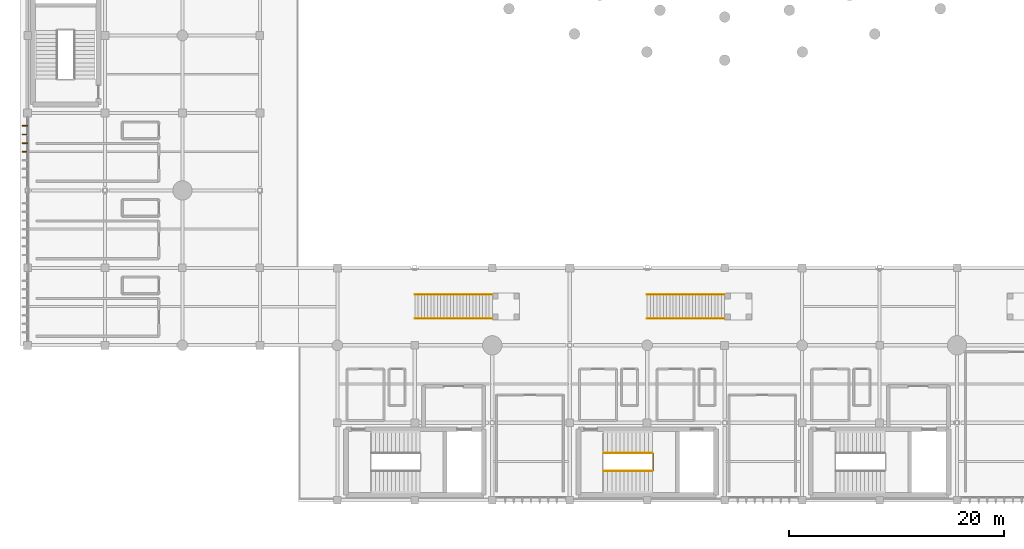
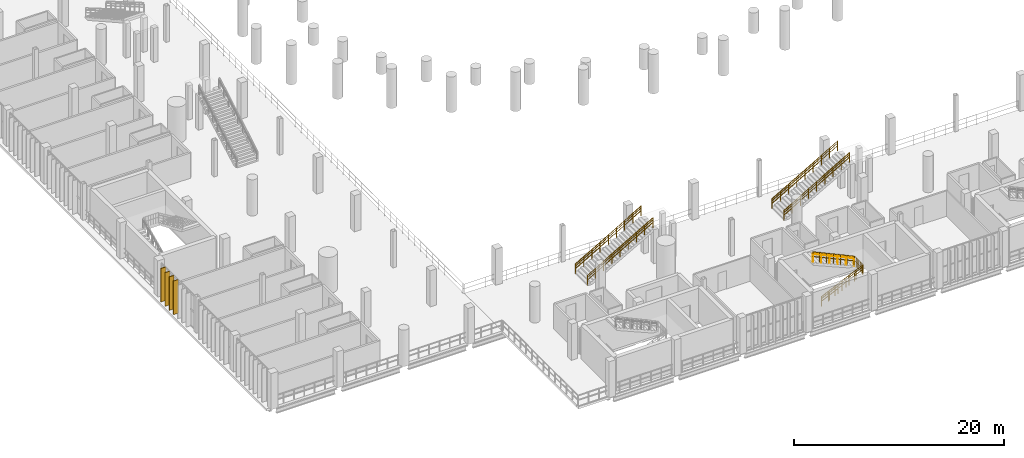
# One storey, part 116 of 130: 13 railings, 4 coverings.
"""IFC4 building model written with IfcOpenShell, lengths in metres."""

from ifc_helpers import new_model, si_unit, direction, frame, origin, origin_2d, place, context, subcontext, project, spatial, rectangle, circle, extrude, material, layer, layer_set, type_object, element, save


model = new_model("IFC4")

# Units and contexts
model_context = context("Model", 3, precision=1e-05, world=origin(), true_north=direction((0.0, 1.0)))
body_context = subcontext(model_context, "Body", "Model", "MODEL_VIEW")
ifc_project = project(units=[si_unit("LENGTHUNIT", "METRE"), si_unit("AREAUNIT", "SQUARE_METRE"), si_unit("VOLUMEUNIT", "CUBIC_METRE"), si_unit("PLANEANGLEUNIT", "RADIAN"), si_unit("MASSUNIT", "GRAM", prefix="KILO")], contexts=[model_context])

# Site, building, storey
site_placement = place(None, origin())
site = spatial("IfcSite", under=ifc_project, at=site_placement, CompositionType="ELEMENT")
building_placement = place(site_placement, origin())
building = spatial("IfcBuilding", under=site, at=building_placement, Name="Qandorah Velis Arena", CompositionType="ELEMENT")
storey_placement = place(building_placement, frame((0.0, 0.0, 9.60009765625)))
storey = spatial("IfcBuildingStorey", under=building, at=storey_placement, Name="L02", CompositionType="ELEMENT", Elevation=9.60009765625)

# Coverings
ifc_material_1 = material(Name="Champagne-bronze anodized aluminium 6063-T6", Category="aluminium")
ifc_layer = layer(ifc_material_1, 0.0849609375)
ifc_layer_set = layer_set([ifc_layer], Name="Champagne-bronze anodized aluminium 6063-T6")
covering_type = type_object("IfcCoveringType", Name="ARC-COV-FIN520", PredefinedType="CLADDING", material=ifc_layer_set)
for number, where, z_axis, x_axis, name in (
    (1, (-0.251953125, 32.39990234375, -0.010009765625), (0.0, 0.0, 1.0), (1.0, 0.0, 0.0), "Vertical champagne-bronze solar fin blade WNG-W-L02-04-004"),
    (2, (-0.251953125, 33.199951171875, -0.010009765625), (0.0, 0.0, 1.0), (1.0, 0.0, 0.0), "Vertical champagne-bronze solar fin blade WNG-W-L02-04-005"),
    (3, (-0.251953125, 34.0, -0.010009765625), (0.0, 0.0, 1.0), (1.0, 0.0, 0.0), "Vertical champagne-bronze solar fin blade WNG-W-L02-04-006"),
    (4, (-0.251953125, 34.800048828125, -0.010009765625), (0.0, 0.0, 1.0), (1.0, 0.0, 0.0), "Vertical champagne-bronze solar fin blade WNG-W-L02-04-007"),
):
    element("IfcCovering", number, at=place(storey_placement, frame(where, z_axis=z_axis, x_axis=x_axis)), inside=storey, type_object=covering_type, Name=name, PredefinedType="CLADDING", context=body_context, shape_type="SweptSolid", body=[
        extrude(rectangle(XDim=0.52001953125, YDim=0.0849609375, at=origin_2d()), origin(), (0.0, 0.0, 1.0), 3.89990234375),
    ])

# Railings
ifc_material_2 = material(Name="Stainless steel 316", Category="steel")
railing_type_1 = type_object("IfcRailingType", Name="ARC-RL-GRD1150", PredefinedType="GUARDRAIL", material=ifc_material_2)
railing_1_placement = place(storey_placement, frame((58.14599609375, 2.739990234375, 2.099853515625)))
element("IfcRailing", 5, at=railing_1_placement, inside=storey, type_object=railing_type_1, Name="Stair ST9 well guardrail (L02)", PredefinedType="GUARDRAIL", context=body_context, shape_type="SweptSolid", body=[
    extrude(circle(Radius=0.02392578125, at=origin_2d()), frame((0.0, 0.0, 1.1259765625), z_axis=(0.0, 1.0, 0.0), x_axis=(-1.0, 0.0, 0.0)), (0.0, 0.0, 1.0), 1.6201171875),
    extrude(circle(Radius=0.02392578125, at=origin_2d()), frame((0.0, 0.0, 0.597900390625), z_axis=(0.0, 1.0, 0.0), x_axis=(-1.0, 0.0, 0.0)), (0.0, 0.0, 1.0), 1.6201171875),
    extrude(circle(Radius=0.02099609375, at=origin_2d()), origin(), (0.0, 0.0, 1.0), 1.101806640625),
    extrude(circle(Radius=0.02099609375, at=origin_2d()), frame((0.0, 0.27001953125, 0.0)), (0.0, 0.0, 1.0), 1.101806640625),
    extrude(circle(Radius=0.02099609375, at=origin_2d()), frame((0.0, 0.5400390625, 0.0)), (0.0, 0.0, 1.0), 1.101806640625),
    extrude(circle(Radius=0.02099609375, at=origin_2d()), frame((0.0, 0.81005859375, 0.0)), (0.0, 0.0, 1.0), 1.101806640625),
    extrude(circle(Radius=0.02099609375, at=origin_2d()), frame((0.0, 1.080078125, 0.0)), (0.0, 0.0, 1.0), 1.101806640625),
    extrude(circle(Radius=0.02099609375, at=origin_2d()), frame((0.0, 1.35009765625, 0.0)), (0.0, 0.0, 1.0), 1.101806640625),
    extrude(circle(Radius=0.02099609375, at=origin_2d()), frame((0.0, 1.6201171875, 0.0)), (0.0, 0.0, 1.0), 1.101806640625),
])
railing_2_placement = place(storey_placement, frame((53.550048828125, 2.72998046875, 0.0)))
element("IfcRailing", 6, at=railing_2_placement, inside=storey, type_object=railing_type_1, Name="Stair ST9 inner flight 1 guardrail (L02)", PredefinedType="GUARDRAIL", context=body_context, shape_type="SweptSolid", body=[
    extrude(circle(Radius=0.02392578125, at=origin_2d()), frame((0.0, 0.0, 1.1259765625), z_axis=(0.907474148765, 0.0, 0.420107925805), x_axis=(0.0, 1.0, 0.0)), (0.0, 0.0, 1.0), 4.998291015625),
    extrude(circle(Radius=0.02392578125, at=origin_2d()), frame((0.0, 0.0, 0.597900390625), z_axis=(0.907474148765, 0.0, 0.420107925805), x_axis=(0.0, 1.0, 0.0)), (0.0, 0.0, 1.0), 4.998291015625),
    extrude(circle(Radius=0.02099609375, at=origin_2d()), origin(), (0.0, 0.0, 1.0), 1.101806640625),
    extrude(circle(Radius=0.02099609375, at=origin_2d()), frame((0.755859375, 0.0, 0.35009765625)), (0.0, 0.0, 1.0), 1.101806640625),
    extrude(circle(Radius=0.02099609375, at=origin_2d()), frame((1.511962890625, 0.0, 0.699951171875)), (0.0, 0.0, 1.0), 1.101806640625),
    extrude(circle(Radius=0.02099609375, at=origin_2d()), frame((2.26806640625, 0.0, 1.0498046875)), (0.0, 0.0, 1.0), 1.101806640625),
    extrude(circle(Radius=0.02099609375, at=origin_2d()), frame((3.02392578125, 0.0, 1.39990234375)), (0.0, 0.0, 1.0), 1.101806640625),
    extrude(circle(Radius=0.02099609375, at=origin_2d()), frame((3.77978515625, 0.0, 1.75)), (0.0, 0.0, 1.0), 1.101806640625),
    extrude(circle(Radius=0.02099609375, at=origin_2d()), frame((4.535888671875, 0.0, 2.099853515625)), (0.0, 0.0, 1.0), 1.101806640625),
])
railing_3_placement = place(storey_placement, frame((58.0859375, 4.3701171875, 2.099853515625)))
element("IfcRailing", 7, at=railing_3_placement, inside=storey, type_object=railing_type_1, Name="Stair ST9 inner flight 2 guardrail (L02)", PredefinedType="GUARDRAIL", context=body_context, shape_type="SweptSolid", body=[
    extrude(circle(Radius=0.02392578125, at=origin_2d()), frame((0.0, 0.0, 1.1259765625), z_axis=(-0.907455527081, 0.0, 0.420148148122), x_axis=(0.0, -1.0, 0.0)), (0.0, 0.0, 1.0), 4.99853515625),
    extrude(circle(Radius=0.02392578125, at=origin_2d()), frame((0.0, 0.0, 0.597900390625), z_axis=(-0.907455527081, 0.0, 0.420148148122), x_axis=(0.0, -1.0, 0.0)), (0.0, 0.0, 1.0), 4.99853515625),
    extrude(circle(Radius=0.02099609375, at=origin_2d()), origin(), (0.0, 0.0, 1.0), 1.101806640625),
    extrude(circle(Radius=0.02099609375, at=origin_2d()), frame((-0.755859375, 0.0, 0.35009765625)), (0.0, 0.0, 1.0), 1.101806640625),
    extrude(circle(Radius=0.02099609375, at=origin_2d()), frame((-1.511962890625, 0.0, 0.699951171875)), (0.0, 0.0, 1.0), 1.101806640625),
    extrude(circle(Radius=0.02099609375, at=origin_2d()), frame((-2.26806640625, 0.0, 1.050048828125)), (0.0, 0.0, 1.0), 1.101806640625),
    extrude(circle(Radius=0.02099609375, at=origin_2d()), frame((-3.02392578125, 0.0, 1.400146484375)), (0.0, 0.0, 1.0), 1.101806640625),
    extrude(circle(Radius=0.02099609375, at=origin_2d()), frame((-3.77978515625, 0.0, 1.75)), (0.0, 0.0, 1.0), 1.101806640625),
    extrude(circle(Radius=0.02099609375, at=origin_2d()), frame((-4.535888671875, 0.0, 2.10009765625)), (0.0, 0.0, 1.0), 1.101806640625),
])
for number, where, name in (
    (8, (36.0, 19.1201171875, 0.0), "Vomitory VS9 left guard (L02)"),
    (9, (36.0, 16.8798828125, 0.0), "Vomitory VS9 right guard (L02)"),
    (10, (57.60009765625, 19.1201171875, 0.0), "Vomitory VS10 left guard (L02)"),
    (11, (57.60009765625, 16.8798828125, 0.0), "Vomitory VS10 right guard (L02)"),
):
    element("IfcRailing", number, at=place(storey_placement, frame(where)), inside=storey, type_object=railing_type_1, Name=name, PredefinedType="GUARDRAIL", context=body_context, shape_type="SweptSolid", body=[
        extrude(circle(Radius=0.02392578125, at=origin_2d()), frame((0.0, 0.0, 1.1259765625), z_axis=(0.863779963214, 0.0, 0.503869204407), x_axis=(0.0, 1.0, 0.0)), (0.0, 0.0, 1.0), 8.33544921875),
        extrude(circle(Radius=0.02392578125, at=origin_2d()), frame((0.0, 0.0, 0.597900390625), z_axis=(0.863779963214, 0.0, 0.503869204407), x_axis=(0.0, 1.0, 0.0)), (0.0, 0.0, 1.0), 8.33544921875),
        extrude(circle(Radius=0.02099609375, at=origin_2d()), origin(), (0.0, 0.0, 1.0), 1.101806640625),
        extrude(circle(Radius=0.02099609375, at=origin_2d()), frame((0.89990234375, 0.0, 0.52490234375)), (0.0, 0.0, 1.0), 1.101806640625),
        extrude(circle(Radius=0.02099609375, at=origin_2d()), frame((1.800048828125, 0.0, 1.050048828125)), (0.0, 0.0, 1.0), 1.101806640625),
        extrude(circle(Radius=0.02099609375, at=origin_2d()), frame((2.699951171875, 0.0, 1.574951171875)), (0.0, 0.0, 1.0), 1.101806640625),
        extrude(circle(Radius=0.02099609375, at=origin_2d()), frame((3.60009765625, 0.0, 2.10009765625)), (0.0, 0.0, 1.0), 1.101806640625),
        extrude(circle(Radius=0.02099609375, at=origin_2d()), frame((4.5, 0.0, 2.625)), (0.0, 0.0, 1.0), 1.101806640625),
        extrude(circle(Radius=0.02099609375, at=origin_2d()), frame((5.39990234375, 0.0, 3.14990234375)), (0.0, 0.0, 1.0), 1.101806640625),
        extrude(circle(Radius=0.02099609375, at=origin_2d()), frame((6.300048828125, 0.0, 3.675048828125)), (0.0, 0.0, 1.0), 1.101806640625),
        extrude(circle(Radius=0.02099609375, at=origin_2d()), frame((7.199951171875, 0.0, 4.199951171875)), (0.0, 0.0, 1.0), 1.101806640625),
    ])
railing_type_2 = type_object("IfcRailingType", Name="ARC-RL-HND920", PredefinedType="HANDRAIL", material=ifc_material_2)
railing_4_placement = place(storey_placement, frame((53.550048828125, 2.72998046875, 0.0)))
element("IfcRailing", 12, at=railing_4_placement, inside=storey, type_object=railing_type_2, Name="Stair ST9 inner handrail 1 (L02)", PredefinedType="HANDRAIL", context=body_context, shape_type="SweptSolid", body=[
    extrude(circle(Radius=0.02392578125, at=origin_2d()), frame((0.0, 0.0, 0.89599609375), z_axis=(0.907474148765, 0.0, 0.420107925805), x_axis=(0.0, 1.0, 0.0)), (0.0, 0.0, 1.0), 4.998291015625),
    extrude(circle(Radius=0.02099609375, at=origin_2d()), origin(), (0.0, 0.0, 1.0), 0.871826171875),
    extrude(circle(Radius=0.02099609375, at=origin_2d()), frame((0.9072265625, 0.0, 0.419921875)), (0.0, 0.0, 1.0), 0.871826171875),
    extrude(circle(Radius=0.02099609375, at=origin_2d()), frame((1.814453125, 0.0, 0.83984375)), (0.0, 0.0, 1.0), 0.871826171875),
    extrude(circle(Radius=0.02099609375, at=origin_2d()), frame((2.721435546875, 0.0, 1.260009765625)), (0.0, 0.0, 1.0), 0.871826171875),
    extrude(circle(Radius=0.02099609375, at=origin_2d()), frame((3.628662109375, 0.0, 1.679931640625)), (0.0, 0.0, 1.0), 0.871826171875),
    extrude(circle(Radius=0.02099609375, at=origin_2d()), frame((4.535888671875, 0.0, 2.099853515625)), (0.0, 0.0, 1.0), 0.871826171875),
])
railing_5_placement = place(storey_placement, frame((58.0859375, 4.3701171875, 2.099853515625)))
element("IfcRailing", 13, at=railing_5_placement, inside=storey, type_object=railing_type_2, Name="Stair ST9 inner handrail 2 (L02)", PredefinedType="HANDRAIL", context=body_context, shape_type="SweptSolid", body=[
    extrude(circle(Radius=0.02392578125, at=origin_2d()), frame((0.0, 0.0, 0.89599609375), z_axis=(-0.907455527081, 0.0, 0.420148148122), x_axis=(0.0, -1.0, 0.0)), (0.0, 0.0, 1.0), 4.99853515625),
    extrude(circle(Radius=0.02099609375, at=origin_2d()), origin(), (0.0, 0.0, 1.0), 0.871826171875),
    extrude(circle(Radius=0.02099609375, at=origin_2d()), frame((-0.9072265625, 0.0, 0.419921875)), (0.0, 0.0, 1.0), 0.871826171875),
    extrude(circle(Radius=0.02099609375, at=origin_2d()), frame((-1.814453125, 0.0, 0.840087890625)), (0.0, 0.0, 1.0), 0.871826171875),
    extrude(circle(Radius=0.02099609375, at=origin_2d()), frame((-2.721435546875, 0.0, 1.260009765625)), (0.0, 0.0, 1.0), 0.871826171875),
    extrude(circle(Radius=0.02099609375, at=origin_2d()), frame((-3.628662109375, 0.0, 1.68017578125)), (0.0, 0.0, 1.0), 0.871826171875),
    extrude(circle(Radius=0.02099609375, at=origin_2d()), frame((-4.535888671875, 0.0, 2.10009765625)), (0.0, 0.0, 1.0), 0.871826171875),
])
for number, where, name in (
    (14, (36.0, 19.1201171875, 0.0), "Vomitory VS9 left handrail"),
    (15, (36.0, 16.8798828125, 0.0), "Vomitory VS9 right handrail"),
    (16, (57.60009765625, 19.1201171875, 0.0), "Vomitory VS10 left handrail"),
    (17, (57.60009765625, 16.8798828125, 0.0), "Vomitory VS10 right handrail"),
):
    element("IfcRailing", number, at=place(storey_placement, frame(where)), inside=storey, type_object=railing_type_2, Name=name, PredefinedType="HANDRAIL", context=body_context, shape_type="SweptSolid", body=[
        extrude(circle(Radius=0.02392578125, at=origin_2d()), frame((0.0, 0.0, 0.89599609375), z_axis=(0.863779963214, 0.0, 0.503869204407), x_axis=(0.0, 1.0, 0.0)), (0.0, 0.0, 1.0), 8.33544921875),
        extrude(circle(Radius=0.02099609375, at=origin_2d()), origin(), (0.0, 0.0, 1.0), 0.871826171875),
        extrude(circle(Radius=0.02099609375, at=origin_2d()), frame((0.89990234375, 0.0, 0.52490234375)), (0.0, 0.0, 1.0), 0.871826171875),
        extrude(circle(Radius=0.02099609375, at=origin_2d()), frame((1.800048828125, 0.0, 1.050048828125)), (0.0, 0.0, 1.0), 0.871826171875),
        extrude(circle(Radius=0.02099609375, at=origin_2d()), frame((2.699951171875, 0.0, 1.574951171875)), (0.0, 0.0, 1.0), 0.871826171875),
        extrude(circle(Radius=0.02099609375, at=origin_2d()), frame((3.60009765625, 0.0, 2.10009765625)), (0.0, 0.0, 1.0), 0.871826171875),
        extrude(circle(Radius=0.02099609375, at=origin_2d()), frame((4.5, 0.0, 2.625)), (0.0, 0.0, 1.0), 0.871826171875),
        extrude(circle(Radius=0.02099609375, at=origin_2d()), frame((5.39990234375, 0.0, 3.14990234375)), (0.0, 0.0, 1.0), 0.871826171875),
        extrude(circle(Radius=0.02099609375, at=origin_2d()), frame((6.300048828125, 0.0, 3.675048828125)), (0.0, 0.0, 1.0), 0.871826171875),
        extrude(circle(Radius=0.02099609375, at=origin_2d()), frame((7.199951171875, 0.0, 4.199951171875)), (0.0, 0.0, 1.0), 0.871826171875),
    ])

save(model, "model.ifc")
